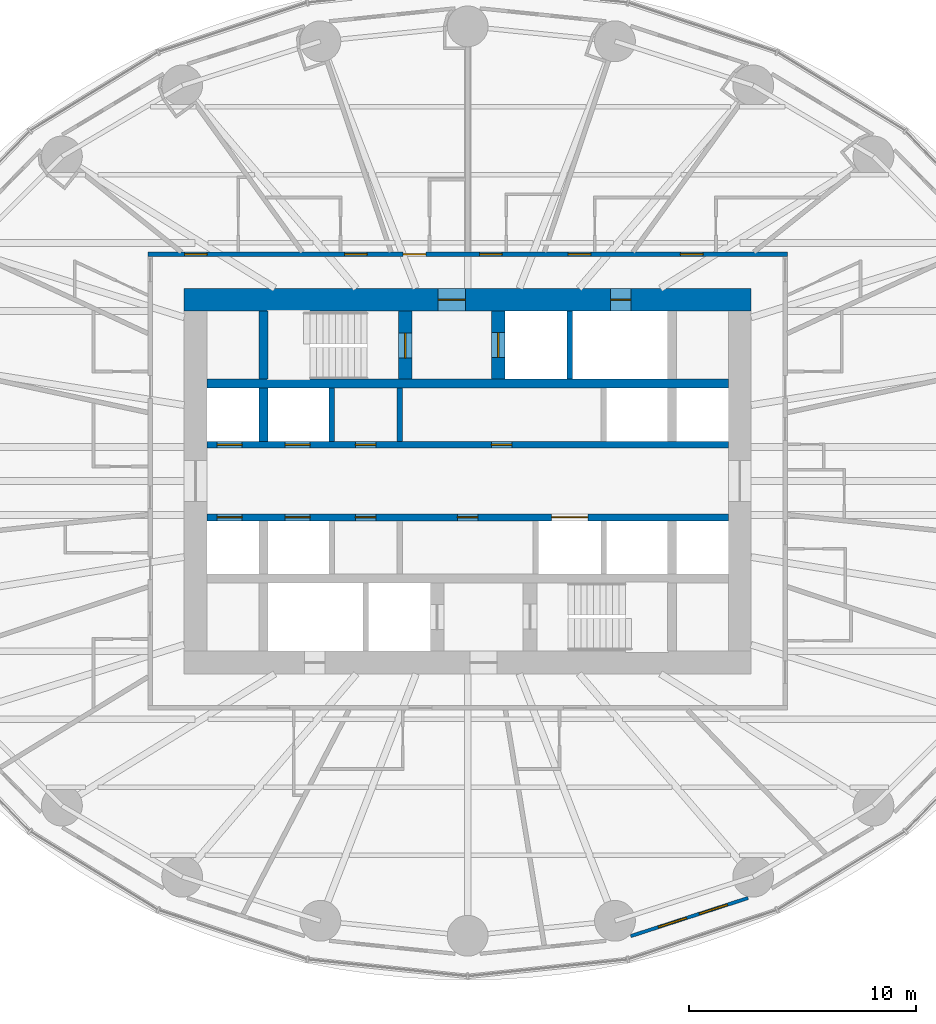
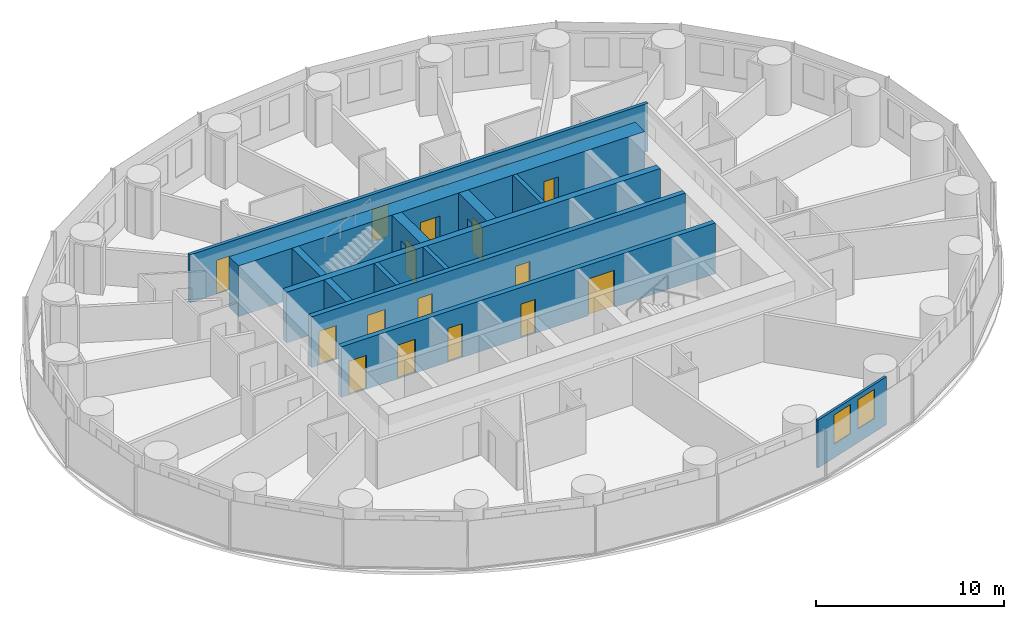
# One storey, part 8 of 13: 19 doors, 13 walls, 2 windows, 21 openings.
"""IFC4 building model written with IfcOpenShell, lengths in metres."""

import ifcopenshell
import ifcopenshell.guid

model = None  # the IFC model being written
_history = None  # IfcOwnerHistory: only IFC2X3 demands one
_inside = {}  # id of a spatial element -> (the spatial element, [elements in it])
_under = {}  # id of a project, library or spatial element -> (it, [spatial elements below it])
_declared = {}  # id of a project -> (the project, [libraries it declares])
_typed = {}  # id of a type object -> (the type object, [elements of that type])
_made_of = {}  # id of a material, layer set ... -> (it, [elements and type objects made of it])


def new_model(schema):
    """Start an empty IFC model of exactly this schema.

    Asked for "IFC4X3", IfcOpenShell would pick the latest addendum, in which some entities
    have other attributes; the version numbers below select the first issue.
    IFC2X3 requires an IfcOwnerHistory on every rooted entity: one is made here for all.
    """
    global model, _history
    if schema == "IFC4X3":
        model = ifcopenshell.file(schema_version=(4, 3, 0, 0))
    else:
        model = ifcopenshell.file(schema=schema)
    _inside.clear()
    _under.clear()
    _declared.clear()
    _typed.clear()
    _made_of.clear()
    _history = None
    if model.schema == "IFC2X3":
        org = make("IfcOrganization", Name="unknown")
        user = make(
            "IfcPersonAndOrganization",
            ThePerson=make("IfcPerson", FamilyName="unknown"),
            TheOrganization=org,
        )
        app = make(
            "IfcApplication",
            ApplicationDeveloper=org,
            Version="unknown",
            ApplicationFullName="unknown",
            ApplicationIdentifier="unknown",
        )
        _history = make(
            "IfcOwnerHistory",
            OwningUser=user,
            OwningApplication=app,
            ChangeAction="ADDED",
            CreationDate=0,
        )
    return model


def make(cls, **values):
    """One entity of the class cls with the attributes given. An attribute that is None is left unset."""
    return model.create_entity(
        cls, **{name: value for name, value in values.items() if value is not None}
    )


def rooted(cls, **values):
    """An entity with a GlobalId (a new one), such as an element, a storey or a relation."""
    return make(cls, GlobalId=ifcopenshell.guid.new(), OwnerHistory=_history, **values)


def si_unit(unit_type, name, prefix=None):
    """IfcSIUnit, for example si_unit("LENGTHUNIT", "METRE", prefix="MILLI")."""
    return make("IfcSIUnit", UnitType=unit_type, Prefix=prefix, Name=name)


def assignment(units):
    """IfcUnitAssignment: the units of a project."""
    return None if units is None else make("IfcUnitAssignment", Units=units)


def point(xyz):
    """IfcCartesianPoint."""
    return None if xyz is None else make("IfcCartesianPoint", Coordinates=xyz)


def direction(xyz):
    """IfcDirection."""
    return None if xyz is None else make("IfcDirection", DirectionRatios=xyz)


def frame(location, z_axis=None, x_axis=None):
    """IfcAxis2Placement3D, a coordinate frame: its origin and axes. An axis left out is left unset."""
    return make(
        "IfcAxis2Placement3D",
        Location=point(location),
        Axis=direction(z_axis),
        RefDirection=direction(x_axis),
    )


def frame_2d(location, x_axis=None):
    """IfcAxis2Placement2D, a coordinate frame in the plane: its origin and x axis."""
    return make(
        "IfcAxis2Placement2D", Location=point(location), RefDirection=direction(x_axis)
    )


def origin():
    """The frame at (0, 0, 0) with its axes left unset."""
    return frame((0.0, 0.0, 0.0))


def place(relative_to, where):
    """IfcLocalPlacement: puts the frame where relative to a parent placement (None: the world)."""
    return make(
        "IfcLocalPlacement", PlacementRelTo=relative_to, RelativePlacement=where
    )


def context(
    kind, dimensions, precision=None, world=None, true_north=None, identifier=None
):
    """IfcGeometricRepresentationContext, for example the 3D "Model" context."""
    return make(
        "IfcGeometricRepresentationContext",
        ContextIdentifier=identifier,
        ContextType=kind,
        CoordinateSpaceDimension=dimensions,
        Precision=precision,
        WorldCoordinateSystem=world,
        TrueNorth=true_north,
    )


def subcontext(parent, identifier, kind, view, scale=None):
    """IfcGeometricRepresentationSubContext, for example "Body" below "Model"."""
    return make(
        "IfcGeometricRepresentationSubContext",
        ContextIdentifier=identifier,
        ContextType=kind,
        ParentContext=parent,
        TargetScale=scale,
        TargetView=view,
    )


def project(units=None, contexts=None):
    """IfcProject with its units and contexts."""
    return rooted(
        "IfcProject",
        Name="project",
        RepresentationContexts=contexts,
        UnitsInContext=assignment(units),
    )


def spatial(cls, under=None, at=None, **own):
    """A site, building, storey or space (cls), placed at a placement, below another one or the project."""
    s = rooted(cls, ObjectPlacement=at, **own)
    if under is not None:
        _under.setdefault(under.id(), (under, []))[1].append(s)
    return s


def profile(cls, at=None, kind="AREA", **sizes):
    """A parametric profile (cls). Its sizes go by their IFC names, for example OverallWidth=200.0."""
    return make(cls, ProfileType=kind, Position=at, **sizes)


def rectangle(**sizes):
    """IfcRectangleProfileDef."""
    return profile("IfcRectangleProfileDef", **sizes)


def extrude(swept, where, along, depth):
    """IfcExtrudedAreaSolid: the profile swept, set in the frame where, extruded along a direction by depth."""
    return make(
        "IfcExtrudedAreaSolid",
        SweptArea=swept,
        Position=where,
        ExtrudedDirection=direction(along),
        Depth=depth,
    )


def shape(context_of_items, identifier, shape_type, items):
    """IfcShapeRepresentation: the items that make up one representation, for example the "Body"."""
    return make(
        "IfcShapeRepresentation",
        ContextOfItems=context_of_items,
        RepresentationIdentifier=identifier,
        RepresentationType=shape_type,
        Items=items,
    )


def material(Name=None, Category=None):
    """IfcMaterial."""
    return make("IfcMaterial", Name=Name, Category=Category)


def layer(
    of_material, thickness, ventilated=None, Name=None, Category=None, Priority=None
):
    """IfcMaterialLayer: one layer of a wall or slab, of a material (None: an air gap)."""
    return make(
        "IfcMaterialLayer",
        Material=of_material,
        LayerThickness=thickness,
        IsVentilated=ventilated,
        Name=Name,
        Category=Category,
        Priority=Priority,
    )


def layer_set(layers, Name=None):
    """IfcMaterialLayerSet."""
    return make("IfcMaterialLayerSet", MaterialLayers=layers, LayerSetName=Name)


def made_of(thing, what):
    """Note that an element or type object is made of a material, layer set ...; save() writes the relation."""
    if what is not None:
        _made_of.setdefault(what.id(), (what, []))[1].append(thing)
    return thing


def type_object(cls, material=None, **own):
    """A type object (cls), such as IfcWallType, which elements share."""
    return made_of(rooted(cls, **own), material)


def element(
    cls,
    number,
    at=None,
    inside=None,
    cuts=None,
    type_object=None,
    material=None,
    context=None,
    identifier="Body",
    shape_type=None,
    held_by="IfcProductDefinitionShape",
    body=None,
    shapes=None,
    **own,
):
    """One element of the class cls, such as IfcWall. Its Tag is "e" and its number.

    at: its placement. inside: the storey or other place that contains it. cuts: it is an
    opening in that element (IfcRelVoidsElement). A single representation is given by context,
    identifier, shape_type and body (its items); several are given by shapes. held_by: the class
    of the entity that holds the representations. save() writes the other relations.
    """
    e = rooted(cls, Tag="e%d" % number, ObjectPlacement=at, **own)
    if body is not None:
        shapes = [shape(context, identifier, shape_type, body)]
    if shapes is not None:
        e.Representation = make(held_by, Representations=shapes)
    if inside is not None:
        _inside.setdefault(inside.id(), (inside, []))[1].append(e)
    if cuts is not None:
        rooted(
            "IfcRelVoidsElement", RelatingBuildingElement=cuts, RelatedOpeningElement=e
        )
    if type_object is not None:
        _typed.setdefault(type_object.id(), (type_object, []))[1].append(e)
    return made_of(e, material)


def fill(opening, filler):
    """IfcRelFillsElement: the door or window that sits in an opening."""
    return rooted(
        "IfcRelFillsElement",
        RelatingOpeningElement=opening,
        RelatedBuildingElement=filler,
    )


def aggregate(whole, parts):
    """IfcRelAggregates: a whole, such as a stair, and the parts it consists of."""
    return rooted("IfcRelAggregates", RelatingObject=whole, RelatedObjects=parts)


def save(model, path):
    """Write the relations noted so far, then the file.

    IfcRelAggregates (storeys below a building ...), IfcRelContainedInSpatialStructure (elements
    in a storey), IfcRelDefinesByType, IfcRelAssociatesMaterial and IfcRelDeclares: one each for
    every whole, place, type object, material and project.
    """
    for whole, parts in _under.values():
        aggregate(whole, parts)
    for where, things in _inside.values():
        rooted(
            "IfcRelContainedInSpatialStructure",
            RelatedElements=things,
            RelatingStructure=where,
        )
    for kind, things in _typed.values():
        rooted("IfcRelDefinesByType", RelatedObjects=things, RelatingType=kind)
    for what, things in _made_of.values():
        rooted("IfcRelAssociatesMaterial", RelatedObjects=things, RelatingMaterial=what)
    for by, libraries in _declared.values():
        rooted("IfcRelDeclares", RelatingContext=by, RelatedDefinitions=libraries)
    model.write(path)


model = new_model("IFC4")

# Units and contexts
model_context = context("Model", 3, precision=1e-05, world=origin(), true_north=direction((0.0, 1.0)))
body_context = subcontext(model_context, "Body", "Model", "MODEL_VIEW")
ifc_project = project(units=[si_unit("LENGTHUNIT", "METRE"), si_unit("AREAUNIT", "SQUARE_METRE"), si_unit("VOLUMEUNIT", "CUBIC_METRE"), si_unit("PLANEANGLEUNIT", "RADIAN"), si_unit("MASSUNIT", "GRAM", prefix="KILO")], contexts=[model_context])

# Site, building, storey
site_placement = place(None, origin())
site = spatial("IfcSite", under=ifc_project, at=site_placement, CompositionType="ELEMENT")
building_placement = place(site_placement, origin())
building = spatial("IfcBuilding", under=site, at=building_placement, Name="Hankou Lantern Tower", CompositionType="ELEMENT")
storey_placement = place(building_placement, frame((0.0, 0.0, 39.300048828125)))
storey = spatial("IfcBuildingStorey", under=building, at=storey_placement, Name="L08", CompositionType="ELEMENT", Elevation=39.300048828125)

# Wall, openings, doors
ifc_material_1 = material(Name="Concrete C60", Category="concrete")
ifc_layer_1 = layer(ifc_material_1, 1.0)
ifc_layer_set_1 = layer_set([ifc_layer_1], Name="Concrete C60")
wall_type_1 = type_object("IfcWallType", Name="CW1 CORE WALL 1000", PredefinedType="SHEAR", material=ifc_layer_set_1)
wall_1_placement = place(storey_placement, frame((-12.5, 8.0, 0.0), z_axis=(0.0, 0.0, 1.0), x_axis=(1.0, 0.0, 0.0)))
wall_1 = element("IfcWall", 1, at=wall_1_placement, inside=storey, type_object=wall_type_1, Name="Core wall north L08", PredefinedType="SHEAR", context=body_context, shape_type="SweptSolid", body=[
    extrude(rectangle(XDim=25.0, YDim=1.0, at=frame_2d((12.5, 0.0))), origin(), (0.0, 0.0, 1.0), 3.300048828125),
])
opening_1_placement = place(wall_1_placement, frame((11.199951171875, 0.0, 0.0)))
opening_1 = element("IfcOpeningElement", 2, at=opening_1_placement, cuts=wall_1, Name="Opening D5", PredefinedType="OPENING", context=body_context, shape_type="SweptSolid", body=[
    extrude(rectangle(XDim=1.199951171875, YDim=2.199951171875, at=frame_2d((0.60009765625, 1.10009765625))), frame((0.0, 0.510009765625, 0.0), z_axis=(0.0, -1.0, 0.0), x_axis=(1.0, 0.0, 0.0)), (0.0, 0.0, 1.0), 1.02001953125),
])
opening_2_placement = place(wall_1_placement, frame((18.800048828125, 0.0, 0.0)))
opening_2 = element("IfcOpeningElement", 3, at=opening_2_placement, cuts=wall_1, Name="Opening D7", PredefinedType="OPENING", context=body_context, shape_type="SweptSolid", body=[
    extrude(rectangle(XDim=0.89990234375, YDim=2.199951171875, at=frame_2d((0.449951171875, 1.10009765625))), frame((0.0, 0.510009765625, 0.0), z_axis=(0.0, -1.0, 0.0), x_axis=(1.0, 0.0, 0.0)), (0.0, 0.0, 1.0), 1.02001953125),
])
ifc_material_2 = material(Name="Steel door leaf", Category="steel")
door_type_1 = type_object("IfcDoorType", Name="D5 STAIR LOBBY DOOR 1200X2200", OperationType="SINGLE_SWING_LEFT", PredefinedType="DOOR", material=ifc_material_2)
door_1_placement = place(opening_1_placement, origin())
door_1 = element("IfcDoor", 4, at=door_1_placement, inside=storey, type_object=door_type_1, Name="Stair A lobby door", OperationType="SINGLE_SWING_LEFT", OverallHeight=2.199951171875, OverallWidth=1.199951171875, PredefinedType="DOOR", context=body_context, shape_type="SweptSolid", body=[
    extrude(rectangle(XDim=1.199951171875, YDim=2.199951171875, at=frame_2d((0.60009765625, 1.10009765625))), frame((0.0, 0.02490234375, 0.0), z_axis=(0.0, -1.0, 0.0), x_axis=(1.0, 0.0, 0.0)), (0.0, 0.0, 1.0), 0.050048828125),
])
fill(opening_1, door_1)
ifc_material_3 = material(Name="Steel door leaf", Category="steel")
door_type_2 = type_object("IfcDoorType", Name="D7 RISER DOOR 900X2200", OperationType="SINGLE_SWING_LEFT", PredefinedType="DOOR", material=ifc_material_3)
door_2_placement = place(opening_2_placement, origin())
door_2 = element("IfcDoor", 5, at=door_2_placement, inside=storey, type_object=door_type_2, Name="Riser N1 door", OperationType="SINGLE_SWING_RIGHT", OverallHeight=2.199951171875, OverallWidth=0.89990234375, PredefinedType="DOOR", context=body_context, shape_type="SweptSolid", body=[
    extrude(rectangle(XDim=0.89990234375, YDim=2.199951171875, at=frame_2d((0.449951171875, 1.10009765625))), frame((0.0, 0.02490234375, 0.0), z_axis=(0.0, -1.0, 0.0), x_axis=(1.0, 0.0, 0.0)), (0.0, 0.0, 1.0), 0.050048828125),
])
fill(opening_2, door_2)

# Walls
ifc_material_4 = material(Name="Concrete C60", Category="concrete")
ifc_layer_2 = layer(ifc_material_4, 0.39990234375)
ifc_layer_set_2 = layer_set([ifc_layer_2], Name="Concrete C60")
wall_type_2 = type_object("IfcWallType", Name="CW4 CORE CROSS WALL 400", PredefinedType="SHEAR", material=ifc_layer_set_2)
wall_2_placement = place(storey_placement, frame((-11.5, 4.300048828125, 0.0), z_axis=(0.0, 0.0, 1.0), x_axis=(1.0, 0.0, 0.0)))
element("IfcWall", 6, at=wall_2_placement, inside=storey, type_object=wall_type_2, Name="Core band wall north L08", PredefinedType="SHEAR", context=body_context, shape_type="SweptSolid", body=[
    extrude(rectangle(XDim=23.0, YDim=0.39990234375, at=frame_2d((11.5, 0.0))), origin(), (0.0, 0.0, 1.0), 3.300048828125),
])
wall_3_placement = place(storey_placement, frame((-9.0, 4.5, 0.0), z_axis=(0.0, 0.0, 1.0), x_axis=(0.0, 1.0, 0.0)))
element("IfcWall", 7, at=wall_3_placement, inside=storey, type_object=wall_type_2, Name="Core strip wall L08", PredefinedType="SHEAR", context=body_context, shape_type="SweptSolid", body=[
    extrude(rectangle(XDim=3.0, YDim=0.39990234375, at=frame_2d((1.5, 0.0))), origin(), (0.0, 0.0, 1.0), 3.300048828125),
])
wall_4_placement = place(storey_placement, frame((-9.0, 1.75, 0.0), z_axis=(0.0, 0.0, 1.0), x_axis=(0.0, 1.0, 0.0)))
element("IfcWall", 8, at=wall_4_placement, inside=storey, type_object=wall_type_2, Name="Core strip wall L08", PredefinedType="SHEAR", context=body_context, shape_type="SweptSolid", body=[
    extrude(rectangle(XDim=2.35009765625, YDim=0.39990234375, at=frame_2d((1.175048828125, 0.0))), origin(), (0.0, 0.0, 1.0), 3.300048828125),
])

# Wall, openings, doors
ifc_material_5 = material(Name="Concrete C60", Category="concrete")
ifc_layer_3 = layer(ifc_material_5, 0.300048828125)
ifc_layer_set_3 = layer_set([ifc_layer_3], Name="Concrete C60")
wall_type_3 = type_object("IfcWallType", Name="CW5 LIFT LOBBY WALL 300", PredefinedType="SHEAR", material=ifc_layer_set_3)
wall_5_placement = place(storey_placement, frame((-11.5, 1.60009765625, 0.0), z_axis=(0.0, 0.0, 1.0), x_axis=(1.0, 0.0, 0.0)))
wall_5 = element("IfcWall", 9, at=wall_5_placement, inside=storey, type_object=wall_type_3, Name="Lift lobby wall north L08", PredefinedType="SHEAR", context=body_context, shape_type="SweptSolid", body=[
    extrude(rectangle(XDim=23.0, YDim=0.300048828125, at=frame_2d((11.5, 0.0))), origin(), (0.0, 0.0, 1.0), 3.300048828125),
])
opening_3_placement = place(wall_5_placement, frame((0.449951171875, 0.0, 0.0)))
opening_3 = element("IfcOpeningElement", 10, at=opening_3_placement, cuts=wall_5, Name="Opening LD1", PredefinedType="OPENING", context=body_context, shape_type="SweptSolid", body=[
    extrude(rectangle(XDim=1.10009765625, YDim=2.199951171875, at=frame_2d((0.550048828125, 1.10009765625))), frame((0.0, 0.159912109375, 0.0), z_axis=(0.0, -1.0, 0.0), x_axis=(1.0, 0.0, 0.0)), (0.0, 0.0, 1.0), 0.320068359375),
])
opening_4_placement = place(wall_5_placement, frame((3.449951171875, 0.0, 0.0)))
opening_4 = element("IfcOpeningElement", 11, at=opening_4_placement, cuts=wall_5, Name="Opening LD1", PredefinedType="OPENING", context=body_context, shape_type="SweptSolid", body=[
    extrude(rectangle(XDim=1.10009765625, YDim=2.199951171875, at=frame_2d((0.550048828125, 1.10009765625))), frame((0.0, 0.159912109375, 0.0), z_axis=(0.0, -1.0, 0.0), x_axis=(1.0, 0.0, 0.0)), (0.0, 0.0, 1.0), 0.320068359375),
])
opening_5_placement = place(wall_5_placement, frame((6.550048828125, 0.0, 0.0)))
opening_5 = element("IfcOpeningElement", 12, at=opening_5_placement, cuts=wall_5, Name="Opening D30", PredefinedType="OPENING", context=body_context, shape_type="SweptSolid", body=[
    extrude(rectangle(XDim=0.89990234375, YDim=2.199951171875, at=frame_2d((0.449951171875, 1.10009765625))), frame((0.0, 0.159912109375, 0.0), z_axis=(0.0, -1.0, 0.0), x_axis=(1.0, 0.0, 0.0)), (0.0, 0.0, 1.0), 0.320068359375),
])
opening_6_placement = place(wall_5_placement, frame((12.550048828125, 0.0, 0.0)))
opening_6 = element("IfcOpeningElement", 13, at=opening_6_placement, cuts=wall_5, Name="Opening D30", PredefinedType="OPENING", context=body_context, shape_type="SweptSolid", body=[
    extrude(rectangle(XDim=0.89990234375, YDim=2.199951171875, at=frame_2d((0.449951171875, 1.10009765625))), frame((0.0, 0.159912109375, 0.0), z_axis=(0.0, -1.0, 0.0), x_axis=(1.0, 0.0, 0.0)), (0.0, 0.0, 1.0), 0.320068359375),
])
ifc_material_6 = material(Name="Steel door leaf", Category="steel")
door_type_3 = type_object("IfcDoorType", Name="D30 CORE ROOM DOOR 900X2200", OperationType="SINGLE_SWING_LEFT", PredefinedType="DOOR", material=ifc_material_6)
door_3_placement = place(opening_5_placement, origin())
door_3 = element("IfcDoor", 14, at=door_3_placement, inside=storey, type_object=door_type_3, Name="Engineering store door", OperationType="SINGLE_SWING_LEFT", OverallHeight=2.199951171875, OverallWidth=0.89990234375, PredefinedType="DOOR", context=body_context, shape_type="SweptSolid", body=[
    extrude(rectangle(XDim=0.89990234375, YDim=2.199951171875, at=frame_2d((0.449951171875, 1.10009765625))), frame((0.0, 0.02490234375, 0.0), z_axis=(0.0, -1.0, 0.0), x_axis=(1.0, 0.0, 0.0)), (0.0, 0.0, 1.0), 0.050048828125),
])
fill(opening_5, door_3)
door_4_placement = place(opening_6_placement, origin())
door_4 = element("IfcDoor", 15, at=door_4_placement, inside=storey, type_object=door_type_3, Name="Housekeeping and linen store door", OperationType="SINGLE_SWING_RIGHT", OverallHeight=2.199951171875, OverallWidth=0.89990234375, PredefinedType="DOOR", context=body_context, shape_type="SweptSolid", body=[
    extrude(rectangle(XDim=0.89990234375, YDim=2.199951171875, at=frame_2d((0.449951171875, 1.10009765625))), frame((0.0, 0.02490234375, 0.0), z_axis=(0.0, -1.0, 0.0), x_axis=(1.0, 0.0, 0.0)), (0.0, 0.0, 1.0), 0.050048828125),
])
fill(opening_6, door_4)
ifc_material_7 = material(Name="Steel door leaf", Category="steel")
door_type_4 = type_object("IfcDoorType", Name="LD1 LIFT LANDING DOOR 1100X2200", OperationType="DOUBLE_DOOR_SLIDING", PredefinedType="DOOR", material=ifc_material_7)
door_5_placement = place(opening_3_placement, origin())
door_5 = element("IfcDoor", 16, at=door_5_placement, inside=storey, type_object=door_type_4, Name="Lift L1 landing door", OperationType="DOUBLE_DOOR_SLIDING", OverallHeight=2.199951171875, OverallWidth=1.10009765625, PredefinedType="DOOR", context=body_context, shape_type="SweptSolid", body=[
    extrude(rectangle(XDim=1.10009765625, YDim=2.199951171875, at=frame_2d((0.550048828125, 1.10009765625))), frame((0.0, 0.02490234375, 0.0), z_axis=(0.0, -1.0, 0.0), x_axis=(1.0, 0.0, 0.0)), (0.0, 0.0, 1.0), 0.050048828125),
])
fill(opening_3, door_5)
door_6_placement = place(opening_4_placement, origin())
door_6 = element("IfcDoor", 17, at=door_6_placement, inside=storey, type_object=door_type_4, Name="Lift L2 landing door", OperationType="DOUBLE_DOOR_SLIDING", OverallHeight=2.199951171875, OverallWidth=1.10009765625, PredefinedType="DOOR", context=body_context, shape_type="SweptSolid", body=[
    extrude(rectangle(XDim=1.10009765625, YDim=2.199951171875, at=frame_2d((0.550048828125, 1.10009765625))), frame((0.0, 0.02490234375, 0.0), z_axis=(0.0, -1.0, 0.0), x_axis=(1.0, 0.0, 0.0)), (0.0, 0.0, 1.0), 0.050048828125),
])
fill(opening_4, door_6)

wall_6_placement = place(storey_placement, frame((-11.5, -1.60009765625, 0.0), z_axis=(0.0, 0.0, 1.0), x_axis=(1.0, 0.0, 0.0)))
wall_6 = element("IfcWall", 18, at=wall_6_placement, inside=storey, type_object=wall_type_3, Name="Lift lobby wall south L08", PredefinedType="SHEAR", context=body_context, shape_type="SweptSolid", body=[
    extrude(rectangle(XDim=23.0, YDim=0.300048828125, at=frame_2d((11.5, 0.0))), origin(), (0.0, 0.0, 1.0), 3.300048828125),
])
opening_7_placement = place(wall_6_placement, frame((0.449951171875, 0.0, 0.0)))
opening_7 = element("IfcOpeningElement", 19, at=opening_7_placement, cuts=wall_6, Name="Opening LD1", PredefinedType="OPENING", context=body_context, shape_type="SweptSolid", body=[
    extrude(rectangle(XDim=1.10009765625, YDim=2.199951171875, at=frame_2d((0.550048828125, 1.10009765625))), frame((0.0, 0.159912109375, 0.0), z_axis=(0.0, -1.0, 0.0), x_axis=(1.0, 0.0, 0.0)), (0.0, 0.0, 1.0), 0.320068359375),
])
opening_8_placement = place(wall_6_placement, frame((3.449951171875, 0.0, 0.0)))
opening_8 = element("IfcOpeningElement", 20, at=opening_8_placement, cuts=wall_6, Name="Opening LD1", PredefinedType="OPENING", context=body_context, shape_type="SweptSolid", body=[
    extrude(rectangle(XDim=1.10009765625, YDim=2.199951171875, at=frame_2d((0.550048828125, 1.10009765625))), frame((0.0, 0.159912109375, 0.0), z_axis=(0.0, -1.0, 0.0), x_axis=(1.0, 0.0, 0.0)), (0.0, 0.0, 1.0), 0.320068359375),
])
opening_9_placement = place(wall_6_placement, frame((15.199951171875, 0.0, 0.0)))
opening_9 = element("IfcOpeningElement", 21, at=opening_9_placement, cuts=wall_6, Name="Opening LD4", PredefinedType="OPENING", context=body_context, shape_type="SweptSolid", body=[
    extrude(rectangle(XDim=1.60009765625, YDim=2.39990234375, at=frame_2d((0.800048828125, 1.199951171875))), frame((0.0, 0.159912109375, 0.0), z_axis=(0.0, -1.0, 0.0), x_axis=(1.0, 0.0, 0.0)), (0.0, 0.0, 1.0), 0.320068359375),
])
opening_10_placement = place(wall_6_placement, frame((6.550048828125, 0.0, 0.0)))
opening_10 = element("IfcOpeningElement", 22, at=opening_10_placement, cuts=wall_6, Name="Opening D30", PredefinedType="OPENING", context=body_context, shape_type="SweptSolid", body=[
    extrude(rectangle(XDim=0.89990234375, YDim=2.199951171875, at=frame_2d((0.449951171875, 1.10009765625))), frame((0.0, 0.159912109375, 0.0), z_axis=(0.0, -1.0, 0.0), x_axis=(1.0, 0.0, 0.0)), (0.0, 0.0, 1.0), 0.320068359375),
])
opening_11_placement = place(wall_6_placement, frame((11.050048828125, 0.0, 0.0)))
opening_11 = element("IfcOpeningElement", 23, at=opening_11_placement, cuts=wall_6, Name="Opening D30", PredefinedType="OPENING", context=body_context, shape_type="SweptSolid", body=[
    extrude(rectangle(XDim=0.89990234375, YDim=2.199951171875, at=frame_2d((0.449951171875, 1.10009765625))), frame((0.0, 0.159912109375, 0.0), z_axis=(0.0, -1.0, 0.0), x_axis=(1.0, 0.0, 0.0)), (0.0, 0.0, 1.0), 0.320068359375),
])
door_7_placement = place(opening_10_placement, origin())
door_7 = element("IfcDoor", 24, at=door_7_placement, inside=storey, type_object=door_type_3, Name="Minibar store door", OperationType="SINGLE_SWING_LEFT", OverallHeight=2.199951171875, OverallWidth=0.89990234375, PredefinedType="DOOR", context=body_context, shape_type="SweptSolid", body=[
    extrude(rectangle(XDim=0.89990234375, YDim=2.199951171875, at=frame_2d((0.449951171875, 1.10009765625))), frame((0.0, 0.02490234375, 0.0), z_axis=(0.0, -1.0, 0.0), x_axis=(1.0, 0.0, 0.0)), (0.0, 0.0, 1.0), 0.050048828125),
])
fill(opening_10, door_7)
door_8_placement = place(opening_11_placement, origin())
door_8 = element("IfcDoor", 25, at=door_8_placement, inside=storey, type_object=door_type_3, Name="Cleaner's store door", OperationType="SINGLE_SWING_LEFT", OverallHeight=2.199951171875, OverallWidth=0.89990234375, PredefinedType="DOOR", context=body_context, shape_type="SweptSolid", body=[
    extrude(rectangle(XDim=0.89990234375, YDim=2.199951171875, at=frame_2d((0.449951171875, 1.10009765625))), frame((0.0, 0.02490234375, 0.0), z_axis=(0.0, -1.0, 0.0), x_axis=(1.0, 0.0, 0.0)), (0.0, 0.0, 1.0), 0.050048828125),
])
fill(opening_11, door_8)
door_9_placement = place(opening_7_placement, origin())
door_9 = element("IfcDoor", 26, at=door_9_placement, inside=storey, type_object=door_type_4, Name="Lift L3 landing door", OperationType="DOUBLE_DOOR_SLIDING", OverallHeight=2.199951171875, OverallWidth=1.10009765625, PredefinedType="DOOR", context=body_context, shape_type="SweptSolid", body=[
    extrude(rectangle(XDim=1.10009765625, YDim=2.199951171875, at=frame_2d((0.550048828125, 1.10009765625))), frame((0.0, 0.02490234375, 0.0), z_axis=(0.0, -1.0, 0.0), x_axis=(1.0, 0.0, 0.0)), (0.0, 0.0, 1.0), 0.050048828125),
])
fill(opening_7, door_9)
door_10_placement = place(opening_8_placement, origin())
door_10 = element("IfcDoor", 27, at=door_10_placement, inside=storey, type_object=door_type_4, Name="Lift L4 landing door", OperationType="DOUBLE_DOOR_SLIDING", OverallHeight=2.199951171875, OverallWidth=1.10009765625, PredefinedType="DOOR", context=body_context, shape_type="SweptSolid", body=[
    extrude(rectangle(XDim=1.10009765625, YDim=2.199951171875, at=frame_2d((0.550048828125, 1.10009765625))), frame((0.0, 0.02490234375, 0.0), z_axis=(0.0, -1.0, 0.0), x_axis=(1.0, 0.0, 0.0)), (0.0, 0.0, 1.0), 0.050048828125),
])
fill(opening_8, door_10)
ifc_material_8 = material(Name="Steel door leaf", Category="steel")
door_type_5 = type_object("IfcDoorType", Name="LD4 SERVICE LIFT LANDING DOOR 1600X2400", OperationType="DOUBLE_DOOR_SLIDING", PredefinedType="DOOR", material=ifc_material_8)
door_11_placement = place(opening_9_placement, origin())
door_11 = element("IfcDoor", 28, at=door_11_placement, inside=storey, type_object=door_type_5, Name="Lift SV1 landing door", OperationType="DOUBLE_DOOR_SLIDING", OverallHeight=2.39990234375, OverallWidth=1.60009765625, PredefinedType="DOOR", context=body_context, shape_type="SweptSolid", body=[
    extrude(rectangle(XDim=1.60009765625, YDim=2.39990234375, at=frame_2d((0.800048828125, 1.199951171875))), frame((0.0, 0.02490234375, 0.0), z_axis=(0.0, -1.0, 0.0), x_axis=(1.0, 0.0, 0.0)), (0.0, 0.0, 1.0), 0.050048828125),
])
fill(opening_9, door_11)

# Wall, opening, door
ifc_material_9 = material(Name="Concrete C60", Category="concrete")
ifc_layer_4 = layer(ifc_material_9, 0.60009765625)
ifc_layer_set_4 = layer_set([ifc_layer_4], Name="Concrete C60")
wall_type_4 = type_object("IfcWallType", Name="CW6 STAIR AND SHAFT WALL 600", PredefinedType="SHEAR", material=ifc_layer_set_4)
wall_7_placement = place(storey_placement, frame((-2.75, 4.5, 0.0), z_axis=(0.0, 0.0, 1.0), x_axis=(0.0, 1.0, 0.0)))
wall_7 = element("IfcWall", 29, at=wall_7_placement, inside=storey, type_object=wall_type_4, Name="Stair wall L08", PredefinedType="SHEAR", context=body_context, shape_type="SweptSolid", body=[
    extrude(rectangle(XDim=3.0, YDim=0.60009765625, at=frame_2d((1.5, 0.0))), origin(), (0.0, 0.0, 1.0), 3.300048828125),
])
opening_12_placement = place(wall_7_placement, frame((0.925048828125, 0.0, 0.0)))
opening_12 = element("IfcOpeningElement", 30, at=opening_12_placement, cuts=wall_7, Name="Opening D4", PredefinedType="OPENING", context=body_context, shape_type="SweptSolid", body=[
    extrude(rectangle(XDim=1.10009765625, YDim=2.199951171875, at=frame_2d((0.550048828125, 1.10009765625))), frame((0.0, 0.31005859375, 0.0), z_axis=(0.0, -1.0, 0.0), x_axis=(1.0, 0.0, 0.0)), (0.0, 0.0, 1.0), 0.6201171875),
])
ifc_material_10 = material(Name="Steel door leaf", Category="steel")
door_type_6 = type_object("IfcDoorType", Name="D4 STAIR DOOR 1100X2200", OperationType="SINGLE_SWING_LEFT", PredefinedType="DOOR", material=ifc_material_10)
door_12_placement = place(opening_12_placement, origin())
door_12 = element("IfcDoor", 31, at=door_12_placement, inside=storey, type_object=door_type_6, Name="Stair A door", OperationType="SINGLE_SWING_LEFT", OverallHeight=2.199951171875, OverallWidth=1.10009765625, PredefinedType="DOOR", context=body_context, shape_type="SweptSolid", body=[
    extrude(rectangle(XDim=1.10009765625, YDim=2.199951171875, at=frame_2d((0.550048828125, 1.10009765625))), frame((0.0, 0.02490234375, 0.0), z_axis=(0.0, -1.0, 0.0), x_axis=(1.0, 0.0, 0.0)), (0.0, 0.0, 1.0), 0.050048828125),
])
fill(opening_12, door_12)

wall_8_placement = place(storey_placement, frame((1.35009765625, 4.5, 0.0), z_axis=(0.0, 0.0, 1.0), x_axis=(0.0, 1.0, 0.0)))
wall_8 = element("IfcWall", 32, at=wall_8_placement, inside=storey, type_object=wall_type_4, Name="Firefighting lift shaft wall L08", PredefinedType="SHEAR", context=body_context, shape_type="SweptSolid", body=[
    extrude(rectangle(XDim=3.0, YDim=0.60009765625, at=frame_2d((1.5, 0.0))), origin(), (0.0, 0.0, 1.0), 3.300048828125),
])
opening_13_placement = place(wall_8_placement, frame((0.949951171875, 0.0, 0.0)))
opening_13 = element("IfcOpeningElement", 33, at=opening_13_placement, cuts=wall_8, Name="Opening LD2", PredefinedType="OPENING", context=body_context, shape_type="SweptSolid", body=[
    extrude(rectangle(XDim=1.10009765625, YDim=2.199951171875, at=frame_2d((0.550048828125, 1.10009765625))), frame((0.0, 0.31005859375, 0.0), z_axis=(0.0, -1.0, 0.0), x_axis=(1.0, 0.0, 0.0)), (0.0, 0.0, 1.0), 0.6201171875),
])
ifc_material_11 = material(Name="Steel door leaf", Category="steel")
door_type_7 = type_object("IfcDoorType", Name="LD2 FIREFIGHTING LIFT LANDING DOOR 1100X2200", OperationType="DOUBLE_DOOR_SLIDING", PredefinedType="DOOR", material=ifc_material_11)
door_13_placement = place(opening_13_placement, origin())
door_13 = element("IfcDoor", 34, at=door_13_placement, inside=storey, type_object=door_type_7, Name="Firefighting lift FL1 landing door", OperationType="DOUBLE_DOOR_SLIDING", OverallHeight=2.199951171875, OverallWidth=1.10009765625, PredefinedType="DOOR", context=body_context, shape_type="SweptSolid", body=[
    extrude(rectangle(XDim=1.10009765625, YDim=2.199951171875, at=frame_2d((0.550048828125, 1.10009765625))), frame((0.0, 0.02490234375, 0.0), z_axis=(0.0, -1.0, 0.0), x_axis=(1.0, 0.0, 0.0)), (0.0, 0.0, 1.0), 0.050048828125),
])
fill(opening_13, door_13)

# Wall, openings, windows
ifc_material_12 = material(Name="Aluminium spandrel panel on steel studs", Category="steel")
ifc_layer_5 = layer(ifc_material_12, 0.14990234375)
ifc_layer_set_5 = layer_set([ifc_layer_5], Name="Aluminium spandrel panel on steel studs")
wall_type_5 = type_object("IfcWallType", Name="EW1 INNER SKIN WALL 150", PredefinedType="ELEMENTEDWALL", material=ifc_layer_set_5)
wall_9_placement = place(storey_placement, frame((7.188232421875, -20.06494140625, 0.0), z_axis=(0.0, 0.0, 1.0), x_axis=(0.951138486029, 0.308764603532, 0.0)))
wall_9 = element("IfcWall", 35, at=wall_9_placement, inside=storey, type_object=wall_type_5, Name="Inner skin R20-R21 L08", PredefinedType="ELEMENTEDWALL", context=body_context, shape_type="SweptSolid", body=[
    extrude(rectangle(XDim=5.444091796875, YDim=0.14990234375, at=frame_2d((2.72216796875, 0.0))), origin(), (0.0, 0.0, 1.0), 3.119873046875),
])
opening_14_placement = place(wall_9_placement, frame((1.2841796875, 0.0, 0.89990234375)))
opening_14 = element("IfcOpeningElement", 36, at=opening_14_placement, cuts=wall_9, Name="Opening W9", PredefinedType="OPENING", context=body_context, shape_type="SweptSolid", body=[
    extrude(rectangle(XDim=1.300048828125, YDim=1.89990234375, at=frame_2d((0.64990234375, 0.949951171875))), frame((0.0, 0.0849609375, 0.0), z_axis=(0.0, -1.0, 0.0), x_axis=(1.0, 0.0, 0.0)), (0.0, 0.0, 1.0), 0.169921875),
])
opening_15_placement = place(wall_9_placement, frame((3.18408203125, 0.0, 0.89990234375)))
opening_15 = element("IfcOpeningElement", 37, at=opening_15_placement, cuts=wall_9, Name="Opening W9", PredefinedType="OPENING", context=body_context, shape_type="SweptSolid", body=[
    extrude(rectangle(XDim=1.300048828125, YDim=1.89990234375, at=frame_2d((0.64990234375, 0.949951171875))), frame((0.0, 0.0849609375, 0.0), z_axis=(0.0, -1.0, 0.0), x_axis=(1.0, 0.0, 0.0)), (0.0, 0.0, 1.0), 0.169921875),
])
ifc_material_13 = material(Name="Aluminium framed double glazed window", Category="aluminium")
window_type = type_object("IfcWindowType", Name="W9 GUEST ROOM WINDOW 1300X1900", PartitioningType="DOUBLE_PANEL_VERTICAL", PredefinedType="WINDOW", material=ifc_material_13)
window_1_placement = place(opening_14_placement, origin())
window_1 = element("IfcWindow", 38, at=window_1_placement, inside=storey, type_object=window_type, Name="Window R20.1 L08", OverallHeight=1.89990234375, OverallWidth=1.300048828125, PartitioningType="SINGLE_PANEL", PredefinedType="WINDOW", context=body_context, shape_type="SweptSolid", body=[
    extrude(rectangle(XDim=1.300048828125, YDim=1.89990234375, at=frame_2d((0.64990234375, 0.949951171875))), frame((0.0, 0.030029296875, 0.0), z_axis=(0.0, -1.0, 0.0), x_axis=(1.0, 0.0, 0.0)), (0.0, 0.0, 1.0), 0.06005859375),
])
fill(opening_14, window_1)
window_2_placement = place(opening_15_placement, origin())
window_2 = element("IfcWindow", 39, at=window_2_placement, inside=storey, type_object=window_type, Name="Window R20.2 L08", OverallHeight=1.89990234375, OverallWidth=1.300048828125, PartitioningType="SINGLE_PANEL", PredefinedType="WINDOW", context=body_context, shape_type="SweptSolid", body=[
    extrude(rectangle(XDim=1.300048828125, YDim=1.89990234375, at=frame_2d((0.64990234375, 0.949951171875))), frame((0.0, 0.030029296875, 0.0), z_axis=(0.0, -1.0, 0.0), x_axis=(1.0, 0.0, 0.0)), (0.0, 0.0, 1.0), 0.06005859375),
])
fill(opening_15, window_2)

# Wall, openings, doors
ifc_material_14 = material(Name="Masonry lightweight concrete block", Category="masonry")
ifc_layer_6 = layer(ifc_material_14, 0.199951171875)
ifc_layer_set_6 = layer_set([ifc_layer_6], Name="Masonry lightweight concrete block")
wall_type_6 = type_object("IfcWallType", Name="IW2 CORRIDOR WALL 200", PredefinedType="PARTITIONING", material=ifc_layer_set_6)
wall_10_placement = place(storey_placement, frame((-14.10009765625, 10.0, 0.0), z_axis=(0.0, 0.0, 1.0), x_axis=(1.0, 0.0, 0.0)))
wall_10 = element("IfcWall", 40, at=wall_10_placement, inside=storey, type_object=wall_type_6, Name="Corridor wall north", PredefinedType="PARTITIONING", context=body_context, shape_type="SweptSolid", body=[
    extrude(rectangle(XDim=28.2001953125, YDim=0.199951171875, at=frame_2d((14.10009765625, 0.0))), origin(), (0.0, 0.0, 1.0), 3.119873046875),
])
opening_16_placement = place(wall_10_placement, frame((23.476806640625, 0.0, 0.0)))
opening_16 = element("IfcOpeningElement", 41, at=opening_16_placement, cuts=wall_10, Name="Opening D1", PredefinedType="OPENING", context=body_context, shape_type="SweptSolid", body=[
    extrude(rectangle(XDim=1.0, YDim=2.199951171875, at=frame_2d((0.5, 1.10009765625))), frame((0.0, 0.10986328125, 0.0), z_axis=(0.0, -1.0, 0.0), x_axis=(1.0, 0.0, 0.0)), (0.0, 0.0, 1.0), 0.219970703125),
])
opening_17_placement = place(wall_10_placement, frame((18.529052734375, 0.0, 0.0)))
opening_17 = element("IfcOpeningElement", 42, at=opening_17_placement, cuts=wall_10, Name="Opening D1", PredefinedType="OPENING", context=body_context, shape_type="SweptSolid", body=[
    extrude(rectangle(XDim=1.0, YDim=2.199951171875, at=frame_2d((0.5, 1.10009765625))), frame((0.0, 0.10986328125, 0.0), z_axis=(0.0, -1.0, 0.0), x_axis=(1.0, 0.0, 0.0)), (0.0, 0.0, 1.0), 0.219970703125),
])
opening_18_placement = place(wall_10_placement, frame((14.622802734375, 0.0, 0.0)))
opening_18 = element("IfcOpeningElement", 43, at=opening_18_placement, cuts=wall_10, Name="Opening D1", PredefinedType="OPENING", context=body_context, shape_type="SweptSolid", body=[
    extrude(rectangle(XDim=1.0, YDim=2.199951171875, at=frame_2d((0.5, 1.10009765625))), frame((0.0, 0.10986328125, 0.0), z_axis=(0.0, -1.0, 0.0), x_axis=(1.0, 0.0, 0.0)), (0.0, 0.0, 1.0), 0.219970703125),
])
opening_19_placement = place(wall_10_placement, frame((11.251953125, 0.0, 0.0)))
opening_19 = element("IfcOpeningElement", 44, at=opening_19_placement, cuts=wall_10, Name="Opening D32", PredefinedType="OPENING", context=body_context, shape_type="SweptSolid", body=[
    extrude(rectangle(XDim=1.0, YDim=2.10009765625, at=frame_2d((0.5, 1.050048828125))), frame((0.0, 0.10986328125, 0.0), z_axis=(0.0, -1.0, 0.0), x_axis=(1.0, 0.0, 0.0)), (0.0, 0.0, 1.0), 0.219970703125),
])
opening_20_placement = place(wall_10_placement, frame((8.6708984375, 0.0, 0.0)))
opening_20 = element("IfcOpeningElement", 45, at=opening_20_placement, cuts=wall_10, Name="Opening D1", PredefinedType="OPENING", context=body_context, shape_type="SweptSolid", body=[
    extrude(rectangle(XDim=1.0, YDim=2.199951171875, at=frame_2d((0.5, 1.10009765625))), frame((0.0, 0.10986328125, 0.0), z_axis=(0.0, -1.0, 0.0), x_axis=(1.0, 0.0, 0.0)), (0.0, 0.0, 1.0), 0.219970703125),
])
opening_21_placement = place(wall_10_placement, frame((1.615966796875, 0.0, 0.0)))
opening_21 = element("IfcOpeningElement", 46, at=opening_21_placement, cuts=wall_10, Name="Opening D1", PredefinedType="OPENING", context=body_context, shape_type="SweptSolid", body=[
    extrude(rectangle(XDim=1.0, YDim=2.199951171875, at=frame_2d((0.5, 1.10009765625))), frame((0.0, 0.10986328125, 0.0), z_axis=(0.0, -1.0, 0.0), x_axis=(1.0, 0.0, 0.0)), (0.0, 0.0, 1.0), 0.219970703125),
])
ifc_material_15 = material(Name="Steel door leaf", Category="steel")
door_type_8 = type_object("IfcDoorType", Name="D1 GUEST ROOM DOOR 1000X2200", OperationType="SINGLE_SWING_LEFT", PredefinedType="DOOR", material=ifc_material_15)
door_14_placement = place(opening_16_placement, origin())
door_14 = element("IfcDoor", 47, at=door_14_placement, inside=storey, type_object=door_type_8, Name="Guest room door 0804", OperationType="SINGLE_SWING_RIGHT", OverallHeight=2.199951171875, OverallWidth=1.0, PredefinedType="DOOR", context=body_context, shape_type="SweptSolid", body=[
    extrude(rectangle(XDim=1.0, YDim=2.199951171875, at=frame_2d((0.5, 1.10009765625))), frame((0.0, 0.02490234375, 0.0), z_axis=(0.0, -1.0, 0.0), x_axis=(1.0, 0.0, 0.0)), (0.0, 0.0, 1.0), 0.050048828125),
])
fill(opening_16, door_14)
door_15_placement = place(opening_17_placement, origin())
door_15 = element("IfcDoor", 48, at=door_15_placement, inside=storey, type_object=door_type_8, Name="Guest room door 0805", OperationType="SINGLE_SWING_RIGHT", OverallHeight=2.199951171875, OverallWidth=1.0, PredefinedType="DOOR", context=body_context, shape_type="SweptSolid", body=[
    extrude(rectangle(XDim=1.0, YDim=2.199951171875, at=frame_2d((0.5, 1.10009765625))), frame((0.0, 0.02490234375, 0.0), z_axis=(0.0, -1.0, 0.0), x_axis=(1.0, 0.0, 0.0)), (0.0, 0.0, 1.0), 0.050048828125),
])
fill(opening_17, door_15)
door_16_placement = place(opening_18_placement, origin())
door_16 = element("IfcDoor", 49, at=door_16_placement, inside=storey, type_object=door_type_8, Name="Guest room door 0806", OperationType="SINGLE_SWING_RIGHT", OverallHeight=2.199951171875, OverallWidth=1.0, PredefinedType="DOOR", context=body_context, shape_type="SweptSolid", body=[
    extrude(rectangle(XDim=1.0, YDim=2.199951171875, at=frame_2d((0.5, 1.10009765625))), frame((0.0, 0.02490234375, 0.0), z_axis=(0.0, -1.0, 0.0), x_axis=(1.0, 0.0, 0.0)), (0.0, 0.0, 1.0), 0.050048828125),
])
fill(opening_18, door_16)
door_17_placement = place(opening_20_placement, origin())
door_17 = element("IfcDoor", 50, at=door_17_placement, inside=storey, type_object=door_type_8, Name="Guest room door 0808", OperationType="SINGLE_SWING_LEFT", OverallHeight=2.199951171875, OverallWidth=1.0, PredefinedType="DOOR", context=body_context, shape_type="SweptSolid", body=[
    extrude(rectangle(XDim=1.0, YDim=2.199951171875, at=frame_2d((0.5, 1.10009765625))), frame((0.0, 0.02490234375, 0.0), z_axis=(0.0, -1.0, 0.0), x_axis=(1.0, 0.0, 0.0)), (0.0, 0.0, 1.0), 0.050048828125),
])
fill(opening_20, door_17)
door_18_placement = place(opening_21_placement, origin())
door_18 = element("IfcDoor", 51, at=door_18_placement, inside=storey, type_object=door_type_8, Name="Guest room door 0809", OperationType="SINGLE_SWING_RIGHT", OverallHeight=2.199951171875, OverallWidth=1.0, PredefinedType="DOOR", context=body_context, shape_type="SweptSolid", body=[
    extrude(rectangle(XDim=1.0, YDim=2.199951171875, at=frame_2d((0.5, 1.10009765625))), frame((0.0, 0.02490234375, 0.0), z_axis=(0.0, -1.0, 0.0), x_axis=(1.0, 0.0, 0.0)), (0.0, 0.0, 1.0), 0.050048828125),
])
fill(opening_21, door_18)
ifc_material_16 = material(Name="Steel door leaf", Category="steel")
door_type_9 = type_object("IfcDoorType", Name="D32 GUEST ROOM DOOR 1000X2100", OperationType="SINGLE_SWING_LEFT", PredefinedType="DOOR", material=ifc_material_16)
door_19_placement = place(opening_19_placement, origin())
door_19 = element("IfcDoor", 52, at=door_19_placement, inside=storey, type_object=door_type_9, Name="Guest room door 0807", OperationType="SINGLE_SWING_RIGHT", OverallHeight=2.10009765625, OverallWidth=1.0, PredefinedType="DOOR", context=body_context, shape_type="SweptSolid", body=[
    extrude(rectangle(XDim=1.0, YDim=2.10009765625, at=frame_2d((0.5, 1.050048828125))), frame((0.0, 0.02490234375, 0.0), z_axis=(0.0, -1.0, 0.0), x_axis=(1.0, 0.0, 0.0)), (0.0, 0.0, 1.0), 0.050048828125),
])
fill(opening_19, door_19)

# Walls
ifc_material_17 = material(Name="Masonry autoclaved aerated concrete block", Category="masonry")
ifc_layer_7 = layer(ifc_material_17, 0.25)
ifc_layer_set_7 = layer_set([ifc_layer_7], Name="Masonry autoclaved aerated concrete block")
wall_type_7 = type_object("IfcWallType", Name="SW1 SHAFT BLOCK WALL 250", PredefinedType="PARTITIONING", material=ifc_layer_set_7)
wall_11_placement = place(storey_placement, frame((4.5, 4.5, 0.0), z_axis=(0.0, 0.0, 1.0), x_axis=(0.0, 1.0, 0.0)))
element("IfcWall", 53, at=wall_11_placement, inside=storey, type_object=wall_type_7, Name="Riser wall L08", PredefinedType="PARTITIONING", context=body_context, shape_type="SweptSolid", body=[
    extrude(rectangle(XDim=3.0, YDim=0.25, at=frame_2d((1.5, 0.0))), origin(), (0.0, 0.0, 1.0), 3.300048828125),
])
for number, where, z_axis, x_axis, name in (
    (54, (-6.0, 1.75, 0.0), (0.0, 0.0, 1.0), (0.0, 1.0, 0.0), "Lift shaft wall L08"),
    (55, (-3.0, 1.75, 0.0), (0.0, 0.0, 1.0), (0.0, 1.0, 0.0), "Lift shaft wall L08"),
):
    element("IfcWall", number, at=place(storey_placement, frame(where, z_axis=z_axis, x_axis=x_axis)), inside=storey, type_object=wall_type_7, Name=name, PredefinedType="PARTITIONING", context=body_context, shape_type="SweptSolid", body=[
        extrude(rectangle(XDim=2.35009765625, YDim=0.25, at=frame_2d((1.175048828125, 0.0))), origin(), (0.0, 0.0, 1.0), 3.300048828125),
    ])

save(model, "model.ifc")
